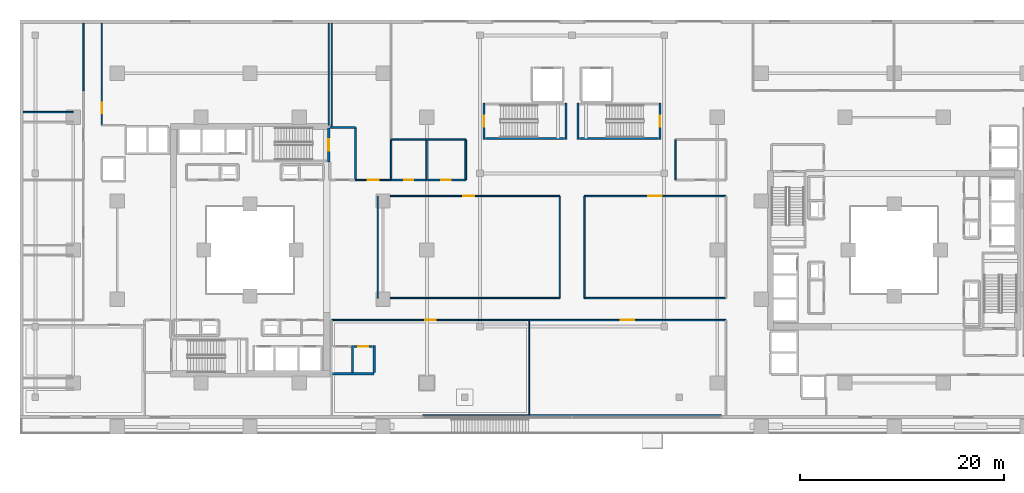
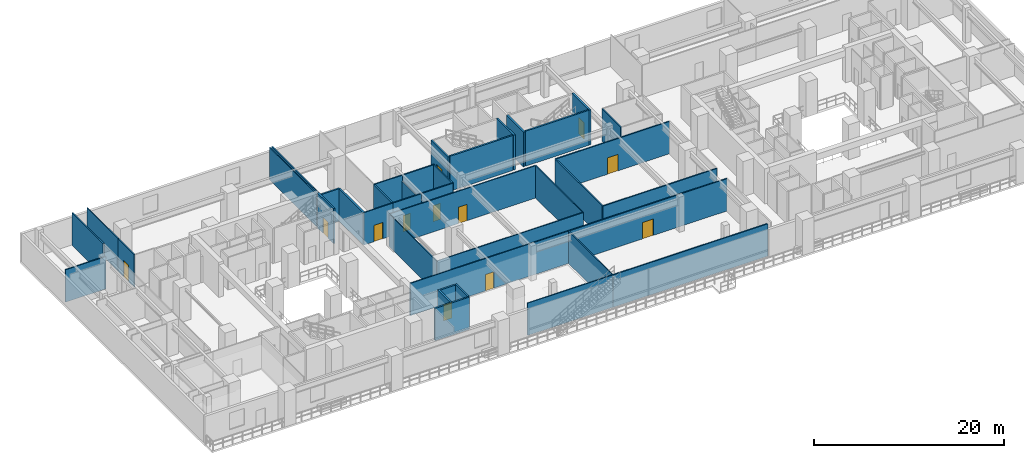
# One storey, part 13 of 22: 40 walls, 12 doors, 12 openings.
"""IFC4 building model written with IfcOpenShell, lengths in metres."""

from ifc_helpers import new_model, si_unit, direction, frame, frame_2d, origin, place, context, subcontext, project, spatial, rectangle, extrude, material, layer, layer_set, type_object, element, fill, save


model = new_model("IFC4")

# Units and contexts
model_context = context("Model", 3, precision=1e-05, world=origin(), true_north=direction((0.0, 1.0)))
body_context = subcontext(model_context, "Body", "Model", "MODEL_VIEW")
ifc_project = project(units=[si_unit("LENGTHUNIT", "METRE"), si_unit("AREAUNIT", "SQUARE_METRE"), si_unit("VOLUMEUNIT", "CUBIC_METRE"), si_unit("PLANEANGLEUNIT", "RADIAN"), si_unit("MASSUNIT", "GRAM", prefix="KILO")], contexts=[model_context])

# Site, building, storey
site_placement = place(None, origin())
site = spatial("IfcSite", under=ifc_project, at=site_placement, CompositionType="ELEMENT")
building_placement = place(site_placement, origin())
building = spatial("IfcBuilding", under=site, at=building_placement, Name="Thornwick Lancets Civic Towers", CompositionType="ELEMENT")
storey_placement = place(building_placement, frame((0.0, 0.0, 18.60009765625)))
storey = spatial("IfcBuildingStorey", under=building, at=storey_placement, Name="L04", CompositionType="ELEMENT", Elevation=18.60009765625)

# Wall, opening, door
ifc_material_1 = material(Name="Concrete blockwork C40/50", Category="masonry")
ifc_layer_1 = layer(ifc_material_1, 0.199951171875, Name="Concrete blockwork C40/50")
ifc_layer_set_1 = layer_set([ifc_layer_1], Name="Concrete blockwork C40/50")
wall_type_1 = type_object("IfcWallType", Name="WALL_COMP_200", PredefinedType="STANDARD", material=ifc_layer_set_1)
wall_1_placement = place(storey_placement, frame((35.679931640625, 17.550048828125, 0.0), z_axis=(0.0, 0.0, 1.0), x_axis=(1.0, 0.0, 0.0)))
wall_1 = element("IfcWall", 1, at=wall_1_placement, inside=storey, type_object=wall_type_1, Name="L04 Hoistway Front Wall PL-AL3", PredefinedType="STANDARD", context=body_context, shape_type="SweptSolid", body=[
    extrude(rectangle(XDim=1.7900390625, YDim=0.199951171875, at=frame_2d((0.89501953125, 0.0))), origin(), (0.0, 0.0, 1.0), 4.159912109375),
])
opening_1_placement = place(wall_1_placement, frame((0.385009765625, 0.0, 0.0)))
opening_1 = element("IfcOpeningElement", 2, at=opening_1_placement, cuts=wall_1, Name="Opening LD-PL-AL3", PredefinedType="OPENING", context=body_context, shape_type="SweptSolid", body=[
    extrude(rectangle(XDim=1.02001953125, YDim=2.06005859375, at=frame_2d((0.510009765625, 1.030029296875))), frame((0.0, 0.10986328125, 0.0), z_axis=(0.0, -1.0, 0.0), x_axis=(1.0, 0.0, 0.0)), (0.0, 0.0, 1.0), 0.219970703125),
])
ifc_material_2 = material(Name="Brushed bronze stainless steel", Category="steel")
door_type_1 = type_object("IfcDoorType", Name="DOOR_LIFT_SLIDE", OperationType="SLIDING_TO_LEFT", PredefinedType="DOOR", material=ifc_material_2)
door_1_placement = place(opening_1_placement, origin())
door_1 = element("IfcDoor", 3, at=door_1_placement, inside=storey, type_object=door_type_1, Name="L04 Sliding Lift Landing Door LD-PL-AL3", OperationType="SLIDING_TO_LEFT", OverallHeight=2.06005859375, OverallWidth=1.02001953125, PredefinedType="DOOR", context=body_context, shape_type="SweptSolid", body=[
    extrude(rectangle(XDim=1.02001953125, YDim=2.06005859375, at=frame_2d((0.510009765625, 1.030029296875))), frame((0.0, 0.02490234375, 0.0), z_axis=(0.0, -1.0, 0.0), x_axis=(1.0, 0.0, 0.0)), (0.0, 0.0, 1.0), 0.050048828125),
])
fill(opening_1, door_1)

# Walls
wall_2_placement = place(storey_placement, frame((33.451904296875, 14.89990234375, 0.0), z_axis=(0.0, 0.0, 1.0), x_axis=(1.0, 0.0, 0.0)))
element("IfcWall", 4, at=wall_2_placement, inside=storey, type_object=wall_type_1, Name="L04 Hoistway Shaft Wall PL-AL2 S", PredefinedType="STANDARD", context=body_context, shape_type="SweptSolid", body=[
    extrude(rectangle(XDim=4.196044921875, YDim=0.199951171875, at=frame_2d((2.09814453125, 0.0))), origin(), (0.0, 0.0, 1.0), 4.159912109375),
])
for number, where, z_axis, x_axis, name in (
    (5, (35.52490234375, 15.011962890625, 0.0), (0.0, 0.0, 1.0), (0.0, 1.0, 0.0), "L04 Hoistway Shaft Wall PL-AL2 E"),
    (6, (37.64990234375, 15.011962890625, 0.0), (0.0, 0.0, 1.0), (0.0, 1.0, 0.0), "L04 Hoistway Shaft Wall PL-AL3 E"),
):
    element("IfcWall", number, at=place(storey_placement, frame(where, z_axis=z_axis, x_axis=x_axis)), inside=storey, type_object=wall_type_1, Name=name, PredefinedType="STANDARD", context=body_context, shape_type="SweptSolid", body=[
        extrude(rectangle(XDim=2.635986328125, YDim=0.199951171875, at=frame_2d((1.31787109375, 0.0))), origin(), (0.0, 0.0, 1.0), 4.159912109375),
    ])
wall_3_placement = place(storey_placement, frame((35.800048828125, 33.85009765625, 0.0), z_axis=(0.0, 0.0, 1.0), x_axis=(0.0, 1.0, 0.0)))
element("IfcWall", 7, at=wall_3_placement, inside=storey, type_object=wall_type_1, Name="L04 Partition L04-A-FFLOB2 E2", PredefinedType="STANDARD", context=body_context, shape_type="SweptSolid", body=[
    extrude(rectangle(XDim=5.14990234375, YDim=0.199951171875, at=frame_2d((2.574951171875, 0.0))), origin(), (0.0, 0.0, 1.0), 4.159912109375),
])
wall_4_placement = place(storey_placement, frame((35.800048828125, 39.0, 0.0), z_axis=(0.0, 0.0, 1.0), x_axis=(-1.0, 0.0, 0.0)))
element("IfcWall", 8, at=wall_4_placement, inside=storey, type_object=wall_type_1, Name="L04 Partition L04-A-FFLOB2 E3", PredefinedType="STANDARD", context=body_context, shape_type="SweptSolid", body=[
    extrude(rectangle(XDim=2.5, YDim=0.199951171875, at=frame_2d((1.25, 0.0))), origin(), (0.0, 0.0, 1.0), 4.159912109375),
])

# Wall, opening, door
ifc_material_3 = material(Name="Acoustic gypsum board partition")
ifc_layer_2 = layer(ifc_material_3, 0.1201171875, Name="Acoustic gypsum board partition")
ifc_layer_set_2 = layer_set([ifc_layer_2], Name="Acoustic gypsum board partition")
wall_type_2 = type_object("IfcWallType", Name="WALL_PART_120", PredefinedType="PARTITIONING", material=ifc_layer_set_2)
wall_5_placement = place(storey_placement, frame((33.5, 20.14990234375, 0.0), z_axis=(0.0, 0.0, 1.0), x_axis=(1.0, 0.0, 0.0)))
wall_5 = element("IfcWall", 9, at=wall_5_placement, inside=storey, type_object=wall_type_2, Name="L04 Partition L04-RECEP E1", PredefinedType="PARTITIONING", context=body_context, shape_type="SweptSolid", body=[
    extrude(rectangle(XDim=19.300048828125, YDim=0.1201171875, at=frame_2d((9.64990234375, 0.0))), origin(), (0.0, 0.0, 1.0), 4.159912109375),
])
opening_2_placement = place(wall_5_placement, frame((9.125, 0.0, 0.0)))
opening_2 = element("IfcOpeningElement", 10, at=opening_2_placement, cuts=wall_5, Name="Opening D-L04-0259", PredefinedType="OPENING", context=body_context, shape_type="SweptSolid", body=[
    extrude(rectangle(XDim=1.050048828125, YDim=2.10009765625, at=frame_2d((0.52490234375, 1.050048828125))), frame((0.0, 0.070068359375, 0.0), z_axis=(0.0, -1.0, 0.0), x_axis=(1.0, 0.0, 0.0)), (0.0, 0.0, 1.0), 0.14013671875),
])
ifc_material_4 = material(Name="Glazed European oak executive doorset")
door_type_2 = type_object("IfcDoorType", Name="DOOR_OFFICE_1050", OperationType="NOTDEFINED", PredefinedType="DOOR", material=ifc_material_4)
door_2_placement = place(opening_2_placement, origin())
door_2 = element("IfcDoor", 11, at=door_2_placement, inside=storey, type_object=door_type_2, Name="L04 Terrace Reception Foyer Door", OperationType="SINGLE_SWING_RIGHT", OverallHeight=2.10009765625, OverallWidth=1.050048828125, PredefinedType="DOOR", context=body_context, shape_type="SweptSolid", body=[
    extrude(rectangle(XDim=1.050048828125, YDim=2.10009765625, at=frame_2d((0.52490234375, 1.050048828125))), frame((0.0, 0.02490234375, 0.0), z_axis=(0.0, -1.0, 0.0), x_axis=(1.0, 0.0, 0.0)), (0.0, 0.0, 1.0), 0.050048828125),
])
fill(opening_2, door_2)

# Walls
wall_6_placement = place(storey_placement, frame((52.800048828125, 20.14990234375, 0.0), z_axis=(0.0, 0.0, 1.0), x_axis=(0.0, -1.0, 0.0)))
element("IfcWall", 12, at=wall_6_placement, inside=storey, type_object=wall_type_2, Name="L04 Partition L04-RECEP E2", PredefinedType="PARTITIONING", context=body_context, shape_type="SweptSolid", body=[
    extrude(rectangle(XDim=9.329833984375, YDim=0.1201171875, at=frame_2d((4.6650390625, 0.0))), origin(), (0.0, 0.0, 1.0), 4.159912109375),
])
wall_7_placement = place(storey_placement, frame((52.800048828125, 10.820068359375, 0.0), z_axis=(0.0, 0.0, 1.0), x_axis=(-1.0, 0.0, 0.0)))
element("IfcWall", 13, at=wall_7_placement, inside=storey, type_object=wall_type_2, Name="L04 Partition L04-RECEP E3", PredefinedType="PARTITIONING", context=body_context, shape_type="SweptSolid", body=[
    extrude(rectangle(XDim=10.400146484375, YDim=0.1201171875, at=frame_2d((5.2001953125, 0.0))), origin(), (0.0, 0.0, 1.0), 4.159912109375),
])

# Wall, opening, door
wall_8_placement = place(storey_placement, frame((38.0, 32.280029296875, 0.0), z_axis=(0.0, 0.0, 1.0), x_axis=(1.0, 0.0, 0.0)))
wall_8 = element("IfcWall", 14, at=wall_8_placement, inside=storey, type_object=wall_type_2, Name="L04 Partition L04-CSW E1", PredefinedType="PARTITIONING", context=body_context, shape_type="SweptSolid", body=[
    extrude(rectangle(XDim=17.800048828125, YDim=0.1201171875, at=frame_2d((8.89990234375, 0.0))), origin(), (0.0, 0.0, 1.0), 4.159912109375),
])
opening_3_placement = place(wall_8_placement, frame((8.375, 0.0, 0.0)))
opening_3 = element("IfcOpeningElement", 15, at=opening_3_placement, cuts=wall_8, Name="Opening D-L04-0264", PredefinedType="OPENING", context=body_context, shape_type="SweptSolid", body=[
    extrude(rectangle(XDim=1.050048828125, YDim=2.10009765625, at=frame_2d((0.52490234375, 1.050048828125))), frame((0.0, 0.070068359375, 0.0), z_axis=(0.0, -1.0, 0.0), x_axis=(1.0, 0.0, 0.0)), (0.0, 0.0, 1.0), 0.14013671875),
])
door_3_placement = place(opening_3_placement, origin())
door_3 = element("IfcDoor", 16, at=door_3_placement, inside=storey, type_object=door_type_2, Name="L04 Central Casework Directorate Door", OperationType="SINGLE_SWING_LEFT", OverallHeight=2.10009765625, OverallWidth=1.050048828125, PredefinedType="DOOR", context=body_context, shape_type="SweptSolid", body=[
    extrude(rectangle(XDim=1.050048828125, YDim=2.10009765625, at=frame_2d((0.52490234375, 1.050048828125))), frame((0.0, 0.02490234375, 0.0), z_axis=(0.0, -1.0, 0.0), x_axis=(1.0, 0.0, 0.0)), (0.0, 0.0, 1.0), 0.050048828125),
])
fill(opening_3, door_3)

# Walls
wall_9_placement = place(storey_placement, frame((55.800048828125, 32.280029296875, 0.0), z_axis=(0.0, 0.0, 1.0), x_axis=(0.0, -1.0, 0.0)))
element("IfcWall", 17, at=wall_9_placement, inside=storey, type_object=wall_type_2, Name="L04 Partition L04-CSW E2", PredefinedType="PARTITIONING", context=body_context, shape_type="SweptSolid", body=[
    extrude(rectangle(XDim=9.97998046875, YDim=0.1201171875, at=frame_2d((4.989990234375, 0.0))), origin(), (0.0, 0.0, 1.0), 4.159912109375),
])
wall_10_placement = place(storey_placement, frame((55.800048828125, 22.300048828125, 0.0), z_axis=(0.0, 0.0, 1.0), x_axis=(-1.0, 0.0, 0.0)))
element("IfcWall", 18, at=wall_10_placement, inside=storey, type_object=wall_type_2, Name="L04 Partition L04-CSW E3", PredefinedType="PARTITIONING", context=body_context, shape_type="SweptSolid", body=[
    extrude(rectangle(XDim=17.800048828125, YDim=0.1201171875, at=frame_2d((8.89990234375, 0.0))), origin(), (0.0, 0.0, 1.0), 4.159912109375),
])
wall_11_placement = place(storey_placement, frame((38.0, 22.300048828125, 0.0), z_axis=(0.0, 0.0, 1.0), x_axis=(0.0, 1.0, 0.0)))
element("IfcWall", 19, at=wall_11_placement, inside=storey, type_object=wall_type_2, Name="L04 Partition L04-CSW E4", PredefinedType="PARTITIONING", context=body_context, shape_type="SweptSolid", body=[
    extrude(rectangle(XDim=9.97998046875, YDim=0.1201171875, at=frame_2d((4.989990234375, 0.0))), origin(), (0.0, 0.0, 1.0), 4.159912109375),
])

# Wall, opening, door
wall_12_placement = place(storey_placement, frame((39.300048828125, 33.85009765625, 0.0), z_axis=(0.0, 0.0, 1.0), x_axis=(-1.0, 0.0, 0.0)))
wall_12 = element("IfcWall", 20, at=wall_12_placement, inside=storey, type_object=wall_type_2, Name="L04 Partition L04-LIB E4", PredefinedType="PARTITIONING", context=body_context, shape_type="SweptSolid", body=[
    extrude(rectangle(XDim=3.5, YDim=0.1201171875, at=frame_2d((1.75, 0.0))), origin(), (0.0, 0.0, 1.0), 4.159912109375),
])
opening_4_placement = place(wall_12_placement, frame((1.22509765625, 0.0, 0.0)))
opening_4 = element("IfcOpeningElement", 21, at=opening_4_placement, cuts=wall_12, Name="Opening D-L04-0267", PredefinedType="OPENING", context=body_context, shape_type="SweptSolid", body=[
    extrude(rectangle(XDim=1.050048828125, YDim=2.10009765625, at=frame_2d((0.52490234375, 1.050048828125))), frame((0.0, 0.070068359375, 0.0), z_axis=(0.0, -1.0, 0.0), x_axis=(1.0, 0.0, 0.0)), (0.0, 0.0, 1.0), 0.14013671875),
])
door_4_placement = place(opening_4_placement, origin())
door_4 = element("IfcDoor", 22, at=door_4_placement, inside=storey, type_object=door_type_2, Name="L04 Civic Reference Library and Training Door", OperationType="SINGLE_SWING_RIGHT", OverallHeight=2.10009765625, OverallWidth=1.050048828125, PredefinedType="DOOR", context=body_context, shape_type="SweptSolid", body=[
    extrude(rectangle(XDim=1.050048828125, YDim=2.10009765625, at=frame_2d((0.52490234375, 1.050048828125))), frame((0.0, 0.02490234375, 0.0), z_axis=(0.0, -1.0, 0.0), x_axis=(1.0, 0.0, 0.0)), (0.0, 0.0, 1.0), 0.050048828125),
])
fill(opening_4, door_4)

# Walls
wall_13_placement = place(storey_placement, frame((33.5, 39.0, 0.0), z_axis=(0.0, 0.0, 1.0), x_axis=(0.0, 1.0, 0.0)))
element("IfcWall", 23, at=wall_13_placement, inside=storey, type_object=wall_type_2, Name="L04 Partition L04-LIB E7", PredefinedType="PARTITIONING", context=body_context, shape_type="SweptSolid", body=[
    extrude(rectangle(XDim=10.179931640625, YDim=0.1201171875, at=frame_2d((5.08984375, 0.0))), origin(), (0.0, 0.0, 1.0), 4.159912109375),
])
wall_14_placement = place(storey_placement, frame((11.0, 42.60009765625, 0.0), z_axis=(0.0, 0.0, 1.0), x_axis=(0.0, 1.0, 0.0)))
element("IfcWall", 24, at=wall_14_placement, inside=storey, type_object=wall_type_2, Name="L04 Partition L04-NWR E1", PredefinedType="PARTITIONING", context=body_context, shape_type="SweptSolid", body=[
    extrude(rectangle(XDim=6.579833984375, YDim=0.1201171875, at=frame_2d((3.2900390625, 0.0))), origin(), (0.0, 0.0, 1.0), 4.159912109375),
])
wall_15_placement = place(storey_placement, frame((33.199951171875, 49.179931640625, 0.0), z_axis=(0.0, 0.0, 1.0), x_axis=(0.0, -1.0, 0.0)))
element("IfcWall", 25, at=wall_15_placement, inside=storey, type_object=wall_type_2, Name="L04 Partition L04-NWR E3", PredefinedType="PARTITIONING", context=body_context, shape_type="SweptSolid", body=[
    extrude(rectangle(XDim=9.97998046875, YDim=0.1201171875, at=frame_2d((4.989990234375, 0.0))), origin(), (0.0, 0.0, 1.0), 4.159912109375),
])

# Wall, opening, door
wall_16_placement = place(storey_placement, frame((11.0, 39.199951171875, 0.0), z_axis=(0.0, 0.0, 1.0), x_axis=(0.0, 1.0, 0.0)))
wall_16 = element("IfcWall", 26, at=wall_16_placement, inside=storey, type_object=wall_type_2, Name="L04 Partition L04-NWR E5", PredefinedType="PARTITIONING", context=body_context, shape_type="SweptSolid", body=[
    extrude(rectangle(XDim=3.400146484375, YDim=0.1201171875, at=frame_2d((1.7001953125, 0.0))), origin(), (0.0, 0.0, 1.0), 4.159912109375),
])
opening_5_placement = place(wall_16_placement, frame((1.175048828125, 0.0, 0.0)))
opening_5 = element("IfcOpeningElement", 27, at=opening_5_placement, cuts=wall_16, Name="Opening D-L04-0271", PredefinedType="OPENING", context=body_context, shape_type="SweptSolid", body=[
    extrude(rectangle(XDim=1.050048828125, YDim=2.10009765625, at=frame_2d((0.52490234375, 1.050048828125))), frame((0.0, 0.070068359375, 0.0), z_axis=(0.0, -1.0, 0.0), x_axis=(1.0, 0.0, 0.0)), (0.0, 0.0, 1.0), 0.14013671875),
])
door_5_placement = place(opening_5_placement, origin())
door_5 = element("IfcDoor", 28, at=door_5_placement, inside=storey, type_object=door_type_2, Name="L04 North-West Terrace Study Hall Door", OperationType="SINGLE_SWING_RIGHT", OverallHeight=2.10009765625, OverallWidth=1.050048828125, PredefinedType="DOOR", context=body_context, shape_type="SweptSolid", body=[
    extrude(rectangle(XDim=1.050048828125, YDim=2.10009765625, at=frame_2d((0.52490234375, 1.050048828125))), frame((0.0, 0.02490234375, 0.0), z_axis=(0.0, -1.0, 0.0), x_axis=(1.0, 0.0, 0.0)), (0.0, 0.0, 1.0), 0.050048828125),
])
fill(opening_5, door_5)

ifc_material_5 = material(Name="Twin-stud acoustic gypsum board")
ifc_layer_3 = layer(ifc_material_5, 0.14990234375, Name="Twin-stud acoustic gypsum board")
ifc_layer_set_3 = layer_set([ifc_layer_3], Name="Twin-stud acoustic gypsum board")
wall_type_3 = type_object("IfcWallType", Name="WALL_PART_150", PredefinedType="PARTITIONING", material=ifc_layer_set_3)
wall_17_placement = place(storey_placement, frame((39.300048828125, 33.85009765625, 0.0), z_axis=(0.0, 0.0, 1.0), x_axis=(1.0, 0.0, 0.0)))
wall_17 = element("IfcWall", 29, at=wall_17_placement, inside=storey, type_object=wall_type_3, Name="L04 Partition L04-POD-MWC E1", PredefinedType="PARTITIONING", context=body_context, shape_type="SweptSolid", body=[
    extrude(rectangle(XDim=3.449951171875, YDim=0.14990234375, at=frame_2d((1.72509765625, 0.0))), origin(), (0.0, 0.0, 1.0), 4.159912109375),
])
opening_6_placement = place(wall_17_placement, frame((1.264892578125, 0.0, 0.0)))
opening_6 = element("IfcOpeningElement", 30, at=opening_6_placement, cuts=wall_17, Name="Opening D-L04-0255", PredefinedType="OPENING", context=body_context, shape_type="SweptSolid", body=[
    extrude(rectangle(XDim=0.919921875, YDim=2.080078125, at=frame_2d((0.4599609375, 1.0400390625))), frame((0.0, 0.0849609375, 0.0), z_axis=(0.0, -1.0, 0.0), x_axis=(1.0, 0.0, 0.0)), (0.0, 0.0, 1.0), 0.169921875),
])
ifc_material_6 = material(Name="Moisture-resistant oak doorset")
door_type_3 = type_object("IfcDoorType", Name="DOOR_WC_900", OperationType="NOTDEFINED", PredefinedType="DOOR", material=ifc_material_6)
door_6_placement = place(opening_6_placement, origin())
door_6 = element("IfcDoor", 31, at=door_6_placement, inside=storey, type_object=door_type_3, Name="L04 Podium Public Male WC Door", OperationType="SINGLE_SWING_RIGHT", OverallHeight=2.080078125, OverallWidth=0.919921875, PredefinedType="DOOR", context=body_context, shape_type="SweptSolid", body=[
    extrude(rectangle(XDim=0.919921875, YDim=2.080078125, at=frame_2d((0.4599609375, 1.0400390625))), frame((0.0, 0.02490234375, 0.0), z_axis=(0.0, -1.0, 0.0), x_axis=(1.0, 0.0, 0.0)), (0.0, 0.0, 1.0), 0.050048828125),
])
fill(opening_6, door_6)

# Walls
wall_18_placement = place(storey_placement, frame((42.75, 33.85009765625, 0.0), z_axis=(0.0, 0.0, 1.0), x_axis=(0.0, 1.0, 0.0)))
element("IfcWall", 32, at=wall_18_placement, inside=storey, type_object=wall_type_3, Name="L04 Partition L04-POD-MWC E2", PredefinedType="PARTITIONING", context=body_context, shape_type="SweptSolid", body=[
    extrude(rectangle(XDim=3.949951171875, YDim=0.14990234375, at=frame_2d((1.97509765625, 0.0))), origin(), (0.0, 0.0, 1.0), 3.39501953125),
])
wall_19_placement = place(storey_placement, frame((42.75, 37.800048828125, 0.0), z_axis=(0.0, 0.0, 1.0), x_axis=(-1.0, 0.0, 0.0)))
element("IfcWall", 33, at=wall_19_placement, inside=storey, type_object=wall_type_3, Name="L04 Partition L04-POD-MWC E3", PredefinedType="PARTITIONING", context=body_context, shape_type="SweptSolid", body=[
    extrude(rectangle(XDim=3.449951171875, YDim=0.14990234375, at=frame_2d((1.72509765625, 0.0))), origin(), (0.0, 0.0, 1.0), 4.159912109375),
])
for number, where, z_axis, x_axis, name in (
    (34, (39.300048828125, 37.800048828125, 0.0), (0.0, 0.0, 1.0), (0.0, -1.0, 0.0), "L04 Partition L04-POD-MWC E4"),
    (35, (67.10009765625, 37.800048828125, 0.0), (0.0, 0.0, 1.0), (0.0, -1.0, 0.0), "L04 Partition L04-POD-FWC E4"),
    (36, (46.60009765625, 37.800048828125, 0.0), (0.0, 0.0, 1.0), (0.0, -1.0, 0.0), "L04 Partition L04-POD-AWC E1"),
):
    element("IfcWall", number, at=place(storey_placement, frame(where, z_axis=z_axis, x_axis=x_axis)), inside=storey, type_object=wall_type_3, Name=name, PredefinedType="PARTITIONING", context=body_context, shape_type="SweptSolid", body=[
        extrude(rectangle(XDim=3.949951171875, YDim=0.14990234375, at=frame_2d((1.97509765625, 0.0))), origin(), (0.0, 0.0, 1.0), 4.159912109375),
    ])

# Wall, opening, door
wall_20_placement = place(storey_placement, frame((46.60009765625, 33.85009765625, 0.0), z_axis=(0.0, 0.0, 1.0), x_axis=(-1.0, 0.0, 0.0)))
wall_20 = element("IfcWall", 37, at=wall_20_placement, inside=storey, type_object=wall_type_3, Name="L04 Partition L04-POD-AWC E2", PredefinedType="PARTITIONING", context=body_context, shape_type="SweptSolid", body=[
    extrude(rectangle(XDim=3.85009765625, YDim=0.14990234375, at=frame_2d((1.925048828125, 0.0))), origin(), (0.0, 0.0, 1.0), 4.159912109375),
])
opening_7_placement = place(wall_20_placement, frame((1.465087890625, 0.0, 0.0)))
opening_7 = element("IfcOpeningElement", 38, at=opening_7_placement, cuts=wall_20, Name="Opening D-L04-0257", PredefinedType="OPENING", context=body_context, shape_type="SweptSolid", body=[
    extrude(rectangle(XDim=0.919921875, YDim=2.080078125, at=frame_2d((0.4599609375, 1.0400390625))), frame((0.0, 0.0849609375, 0.0), z_axis=(0.0, -1.0, 0.0), x_axis=(1.0, 0.0, 0.0)), (0.0, 0.0, 1.0), 0.169921875),
])
door_7_placement = place(opening_7_placement, origin())
door_7 = element("IfcDoor", 39, at=door_7_placement, inside=storey, type_object=door_type_3, Name="L04 Podium Accessible WC Door", OperationType="SINGLE_SWING_RIGHT", OverallHeight=2.080078125, OverallWidth=0.919921875, PredefinedType="DOOR", context=body_context, shape_type="SweptSolid", body=[
    extrude(rectangle(XDim=0.919921875, YDim=2.080078125, at=frame_2d((0.4599609375, 1.0400390625))), frame((0.0, 0.02490234375, 0.0), z_axis=(0.0, -1.0, 0.0), x_axis=(1.0, 0.0, 0.0)), (0.0, 0.0, 1.0), 0.050048828125),
])
fill(opening_7, door_7)

# Wall
wall_21_placement = place(storey_placement, frame((42.75, 37.800048828125, 0.0), z_axis=(0.0, 0.0, 1.0), x_axis=(1.0, 0.0, 0.0)))
element("IfcWall", 40, at=wall_21_placement, inside=storey, type_object=wall_type_3, Name="L04 Partition L04-POD-AWC E4", PredefinedType="PARTITIONING", context=body_context, shape_type="SweptSolid", body=[
    extrude(rectangle(XDim=3.85009765625, YDim=0.14990234375, at=frame_2d((1.925048828125, 0.0))), origin(), (0.0, 0.0, 1.0), 4.159912109375),
])

# Wall, opening, door
wall_22_placement = place(storey_placement, frame((52.800048828125, 20.14990234375, 0.0), z_axis=(0.0, 0.0, 1.0), x_axis=(1.0, 0.0, 0.0)))
wall_22 = element("IfcWall", 41, at=wall_22_placement, inside=storey, type_object=wall_type_3, Name="L04 Partition L04-TRIB E1", PredefinedType="PARTITIONING", context=body_context, shape_type="SweptSolid", body=[
    extrude(rectangle(XDim=19.25, YDim=0.14990234375, at=frame_2d((9.625, 0.0))), origin(), (0.0, 0.0, 1.0), 4.159912109375),
])
opening_8_placement = place(wall_22_placement, frame((8.97509765625, 0.0, 0.0)))
opening_8 = element("IfcOpeningElement", 42, at=opening_8_placement, cuts=wall_22, Name="Opening D-L04-0260", PredefinedType="OPENING", context=body_context, shape_type="SweptSolid", body=[
    extrude(rectangle(XDim=1.300048828125, YDim=2.1201171875, at=frame_2d((0.64990234375, 1.06005859375))), frame((0.0, 0.0849609375, 0.0), z_axis=(0.0, -1.0, 0.0), x_axis=(1.0, 0.0, 0.0)), (0.0, 0.0, 1.0), 0.169921875),
])
ifc_material_7 = material(Name="Acoustic oak leaf-and-a-half doorset")
door_type_4 = type_object("IfcDoorType", Name="DOOR_MEET_1300", OperationType="DOUBLE_DOOR_SINGLE_SWING", PredefinedType="DOOR", material=ifc_material_7)
door_8_placement = place(opening_8_placement, origin())
door_8 = element("IfcDoor", 43, at=door_8_placement, inside=storey, type_object=door_type_4, Name="L04 Administrative Tribunal Hearing Hall Door", OperationType="DOUBLE_DOOR_SINGLE_SWING", OverallHeight=2.1201171875, OverallWidth=1.300048828125, PredefinedType="DOOR", context=body_context, shape_type="SweptSolid", body=[
    extrude(rectangle(XDim=1.300048828125, YDim=2.1201171875, at=frame_2d((0.64990234375, 1.06005859375))), frame((0.0, 0.02490234375, 0.0), z_axis=(0.0, -1.0, 0.0), x_axis=(1.0, 0.0, 0.0)), (0.0, 0.0, 1.0), 0.050048828125),
])
fill(opening_8, door_8)

# Wall
wall_23_placement = place(storey_placement, frame((71.60009765625, 10.820068359375, 0.0), z_axis=(0.0, 0.0, 1.0), x_axis=(-1.0, 0.0, 0.0)))
element("IfcWall", 44, at=wall_23_placement, inside=storey, type_object=wall_type_3, Name="L04 Partition L04-TRIB E4", PredefinedType="PARTITIONING", context=body_context, shape_type="SweptSolid", body=[
    extrude(rectangle(XDim=18.800048828125, YDim=0.14990234375, at=frame_2d((9.39990234375, 0.0))), origin(), (0.0, 0.0, 1.0), 4.159912109375),
])

# Wall, opening, door
wall_24_placement = place(storey_placement, frame((58.199951171875, 32.280029296875, 0.0), z_axis=(0.0, 0.0, 1.0), x_axis=(1.0, 0.0, 0.0)))
wall_24 = element("IfcWall", 45, at=wall_24_placement, inside=storey, type_object=wall_type_3, Name="L04 Partition L04-CSE E1", PredefinedType="PARTITIONING", context=body_context, shape_type="SweptSolid", body=[
    extrude(rectangle(XDim=13.85009765625, YDim=0.14990234375, at=frame_2d((6.925048828125, 0.0))), origin(), (0.0, 0.0, 1.0), 4.159912109375),
])
opening_9_placement = place(wall_24_placement, frame((6.27490234375, 0.0, 0.0)))
opening_9 = element("IfcOpeningElement", 46, at=opening_9_placement, cuts=wall_24, Name="Opening D-L04-0265", PredefinedType="OPENING", context=body_context, shape_type="SweptSolid", body=[
    extrude(rectangle(XDim=1.300048828125, YDim=2.1201171875, at=frame_2d((0.64990234375, 1.06005859375))), frame((0.0, 0.0849609375, 0.0), z_axis=(0.0, -1.0, 0.0), x_axis=(1.0, 0.0, 0.0)), (0.0, 0.0, 1.0), 0.169921875),
])
door_9_placement = place(opening_9_placement, origin())
door_9 = element("IfcDoor", 47, at=door_9_placement, inside=storey, type_object=door_type_4, Name="L04 Statutory Adjudication Chambers Door", OperationType="DOUBLE_DOOR_SINGLE_SWING", OverallHeight=2.1201171875, OverallWidth=1.300048828125, PredefinedType="DOOR", context=body_context, shape_type="SweptSolid", body=[
    extrude(rectangle(XDim=1.300048828125, YDim=2.1201171875, at=frame_2d((0.64990234375, 1.06005859375))), frame((0.0, 0.02490234375, 0.0), z_axis=(0.0, -1.0, 0.0), x_axis=(1.0, 0.0, 0.0)), (0.0, 0.0, 1.0), 0.050048828125),
])
fill(opening_9, door_9)

# Walls
wall_25_placement = place(storey_placement, frame((72.050048828125, 22.300048828125, 0.0), z_axis=(0.0, 0.0, 1.0), x_axis=(-1.0, 0.0, 0.0)))
element("IfcWall", 48, at=wall_25_placement, inside=storey, type_object=wall_type_3, Name="L04 Partition L04-CSE E3", PredefinedType="PARTITIONING", context=body_context, shape_type="SweptSolid", body=[
    extrude(rectangle(XDim=13.85009765625, YDim=0.14990234375, at=frame_2d((6.925048828125, 0.0))), origin(), (0.0, 0.0, 1.0), 4.159912109375),
])
wall_26_placement = place(storey_placement, frame((58.199951171875, 22.300048828125, 0.0), z_axis=(0.0, 0.0, 1.0), x_axis=(0.0, 1.0, 0.0)))
element("IfcWall", 49, at=wall_26_placement, inside=storey, type_object=wall_type_3, Name="L04 Partition L04-CSE E4", PredefinedType="PARTITIONING", context=body_context, shape_type="SweptSolid", body=[
    extrude(rectangle(XDim=9.97998046875, YDim=0.14990234375, at=frame_2d((4.989990234375, 0.0))), origin(), (0.0, 0.0, 1.0), 4.159912109375),
])
wall_27_placement = place(storey_placement, frame((9.199951171875, 49.179931640625, 0.0), z_axis=(0.0, 0.0, 1.0), x_axis=(0.0, -1.0, 0.0)))
element("IfcWall", 50, at=wall_27_placement, inside=storey, type_object=wall_type_3, Name="L04 Partition L04-REC E1", PredefinedType="PARTITIONING", context=body_context, shape_type="SweptSolid", body=[
    extrude(rectangle(XDim=6.579833984375, YDim=0.14990234375, at=frame_2d((3.2900390625, 0.0))), origin(), (0.0, 0.0, 1.0), 4.159912109375),
])
wall_28_placement = place(storey_placement, frame((8.199951171875, 40.47998046875, 0.0), z_axis=(0.0, 0.0, 1.0), x_axis=(-1.0, 0.0, 0.0)))
element("IfcWall", 51, at=wall_28_placement, inside=storey, type_object=wall_type_3, Name="L04 Partition L04-REC E7", PredefinedType="PARTITIONING", context=body_context, shape_type="SweptSolid", body=[
    extrude(rectangle(XDim=4.89990234375, YDim=0.14990234375, at=frame_2d((2.449951171875, 0.0))), origin(), (0.0, 0.0, 1.0), 4.159912109375),
])

# Wall, opening, door
ifc_material_8 = material(Name="Concrete C40/50", Category="concrete")
ifc_layer_4 = layer(ifc_material_8, 0.199951171875, Name="Concrete C40/50")
ifc_layer_set_4 = layer_set([ifc_layer_4], Name="Concrete C40/50")
wall_type_4 = type_object("IfcWallType", Name="WALL_SHAFT_200", PredefinedType="SHEAR", material=ifc_layer_set_4)
wall_29_placement = place(storey_placement, frame((33.199951171875, 38.949951171875, 0.0), z_axis=(0.0, 0.0, 1.0), x_axis=(0.0, -1.0, 0.0)))
wall_29 = element("IfcWall", 52, at=wall_29_placement, inside=storey, type_object=wall_type_4, Name="L04 ST-A2 Fire Stair Core Wall NEAR", PredefinedType="SHEAR", context=body_context, shape_type="SweptSolid", body=[
    extrude(rectangle(XDim=3.349853515625, YDim=0.199951171875, at=frame_2d((1.6748046875, 0.0))), origin(), (0.0, 0.0, 1.0), 4.5),
])
opening_10_placement = place(wall_29_placement, frame((1.125, 0.0, 0.0)))
opening_10 = element("IfcOpeningElement", 53, at=opening_10_placement, cuts=wall_29, Name="Opening D-ST-A2-L04", PredefinedType="OPENING", context=body_context, shape_type="SweptSolid", body=[
    extrude(rectangle(XDim=1.10009765625, YDim=2.10009765625, at=frame_2d((0.550048828125, 1.050048828125))), frame((0.0, 0.10986328125, 0.0), z_axis=(0.0, -1.0, 0.0), x_axis=(1.0, 0.0, 0.0)), (0.0, 0.0, 1.0), 0.219970703125),
])
ifc_material_9 = material(Name="Fire-resisting steel and hardwood", Category="steel")
door_type_5 = type_object("IfcDoorType", Name="DOOR_STAIR_FD60", OperationType="NOTDEFINED", PredefinedType="DOOR", material=ifc_material_9)
door_10_placement = place(opening_10_placement, origin())
door_10 = element("IfcDoor", 54, at=door_10_placement, inside=storey, type_object=door_type_5, Name="L04 ST-A2 Exit Stair Door", OperationType="SINGLE_SWING_LEFT", OverallHeight=2.10009765625, OverallWidth=1.10009765625, PredefinedType="DOOR", context=body_context, shape_type="SweptSolid", body=[
    extrude(rectangle(XDim=1.10009765625, YDim=2.10009765625, at=frame_2d((0.550048828125, 1.050048828125))), frame((0.0, 0.02490234375, 0.0), z_axis=(0.0, -1.0, 0.0), x_axis=(1.0, 0.0, 0.0)), (0.0, 0.0, 1.0), 0.050048828125),
])
fill(opening_10, door_10)

wall_30_placement = place(storey_placement, frame((48.39990234375, 37.800048828125, 0.0), z_axis=(0.0, 0.0, 1.0), x_axis=(0.0, 1.0, 0.0)))
wall_30 = element("IfcWall", 55, at=wall_30_placement, inside=storey, type_object=wall_type_4, Name="L04 ST-P5 Fire Stair Core Wall NEAR", PredefinedType="SHEAR", context=body_context, shape_type="SweptSolid", body=[
    extrude(rectangle(XDim=3.599853515625, YDim=0.199951171875, at=frame_2d((1.7998046875, 0.0))), origin(), (0.0, 0.0, 1.0), 4.5),
])
opening_11_placement = place(wall_30_placement, frame((1.25, 0.0, 0.0)))
opening_11 = element("IfcOpeningElement", 56, at=opening_11_placement, cuts=wall_30, Name="Opening D-ST-P5-L04", PredefinedType="OPENING", context=body_context, shape_type="SweptSolid", body=[
    extrude(rectangle(XDim=1.10009765625, YDim=2.10009765625, at=frame_2d((0.550048828125, 1.050048828125))), frame((0.0, 0.10986328125, 0.0), z_axis=(0.0, -1.0, 0.0), x_axis=(1.0, 0.0, 0.0)), (0.0, 0.0, 1.0), 0.219970703125),
])
door_11_placement = place(opening_11_placement, origin())
door_11 = element("IfcDoor", 57, at=door_11_placement, inside=storey, type_object=door_type_5, Name="L04 ST-P5 Exit Stair Door", OperationType="SINGLE_SWING_RIGHT", OverallHeight=2.10009765625, OverallWidth=1.10009765625, PredefinedType="DOOR", context=body_context, shape_type="SweptSolid", body=[
    extrude(rectangle(XDim=1.10009765625, YDim=2.10009765625, at=frame_2d((0.550048828125, 1.050048828125))), frame((0.0, 0.02490234375, 0.0), z_axis=(0.0, -1.0, 0.0), x_axis=(1.0, 0.0, 0.0)), (0.0, 0.0, 1.0), 0.050048828125),
])
fill(opening_11, door_11)

# Walls
wall_31_placement = place(storey_placement, frame((56.39990234375, 41.39990234375, 0.0), z_axis=(0.0, 0.0, 1.0), x_axis=(0.0, -1.0, 0.0)))
element("IfcWall", 58, at=wall_31_placement, inside=storey, type_object=wall_type_4, Name="L04 ST-P5 Fire Stair Core Wall FAR", PredefinedType="SHEAR", context=body_context, shape_type="SweptSolid", body=[
    extrude(rectangle(XDim=3.599853515625, YDim=0.199951171875, at=frame_2d((1.7998046875, 0.0))), origin(), (0.0, 0.0, 1.0), 4.5),
])
wall_32_placement = place(storey_placement, frame((48.550048828125, 37.903076171875, 0.0), z_axis=(0.0, 0.0, 1.0), x_axis=(1.0, 0.0, 0.0)))
element("IfcWall", 59, at=wall_32_placement, inside=storey, type_object=wall_type_4, Name="L04 ST-P5 Fire Stair Core Wall LEFT", PredefinedType="SHEAR", context=body_context, shape_type="SweptSolid", body=[
    extrude(rectangle(XDim=7.699951171875, YDim=0.199951171875, at=frame_2d((3.85009765625, 0.0))), origin(), (0.0, 0.0, 1.0), 4.5),
])

# Wall, opening, door
wall_33_placement = place(storey_placement, frame((65.60009765625, 41.39990234375, 0.0), z_axis=(0.0, 0.0, 1.0), x_axis=(0.0, -1.0, 0.0)))
wall_33 = element("IfcWall", 60, at=wall_33_placement, inside=storey, type_object=wall_type_4, Name="L04 ST-P6 Fire Stair Core Wall NEAR", PredefinedType="SHEAR", context=body_context, shape_type="SweptSolid", body=[
    extrude(rectangle(XDim=3.599853515625, YDim=0.199951171875, at=frame_2d((1.7998046875, 0.0))), origin(), (0.0, 0.0, 1.0), 4.5),
])
opening_12_placement = place(wall_33_placement, frame((1.25, 0.0, 0.0)))
opening_12 = element("IfcOpeningElement", 61, at=opening_12_placement, cuts=wall_33, Name="Opening D-ST-P6-L04", PredefinedType="OPENING", context=body_context, shape_type="SweptSolid", body=[
    extrude(rectangle(XDim=1.10009765625, YDim=2.10009765625, at=frame_2d((0.550048828125, 1.050048828125))), frame((0.0, 0.10986328125, 0.0), z_axis=(0.0, -1.0, 0.0), x_axis=(1.0, 0.0, 0.0)), (0.0, 0.0, 1.0), 0.219970703125),
])
door_12_placement = place(opening_12_placement, origin())
door_12 = element("IfcDoor", 62, at=door_12_placement, inside=storey, type_object=door_type_5, Name="L04 ST-P6 Exit Stair Door", OperationType="SINGLE_SWING_LEFT", OverallHeight=2.10009765625, OverallWidth=1.10009765625, PredefinedType="DOOR", context=body_context, shape_type="SweptSolid", body=[
    extrude(rectangle(XDim=1.10009765625, YDim=2.10009765625, at=frame_2d((0.550048828125, 1.050048828125))), frame((0.0, 0.02490234375, 0.0), z_axis=(0.0, -1.0, 0.0), x_axis=(1.0, 0.0, 0.0)), (0.0, 0.0, 1.0), 0.050048828125),
])
fill(opening_12, door_12)

# Walls
wall_34_placement = place(storey_placement, frame((57.60009765625, 37.800048828125, 0.0), z_axis=(0.0, 0.0, 1.0), x_axis=(0.0, 1.0, 0.0)))
element("IfcWall", 63, at=wall_34_placement, inside=storey, type_object=wall_type_4, Name="L04 ST-P6 Fire Stair Core Wall FAR", PredefinedType="SHEAR", context=body_context, shape_type="SweptSolid", body=[
    extrude(rectangle(XDim=3.599853515625, YDim=0.199951171875, at=frame_2d((1.7998046875, 0.0))), origin(), (0.0, 0.0, 1.0), 4.5),
])
wall_35_placement = place(storey_placement, frame((57.75, 37.903076171875, 0.0), z_axis=(0.0, 0.0, 1.0), x_axis=(1.0, 0.0, 0.0)))
element("IfcWall", 64, at=wall_35_placement, inside=storey, type_object=wall_type_4, Name="L04 ST-P6 Fire Stair Core Wall RIGHT", PredefinedType="SHEAR", context=body_context, shape_type="SweptSolid", body=[
    extrude(rectangle(XDim=7.699951171875, YDim=0.199951171875, at=frame_2d((3.85009765625, 0.0))), origin(), (0.0, 0.0, 1.0), 4.5),
])

save(model, "model.ifc")
